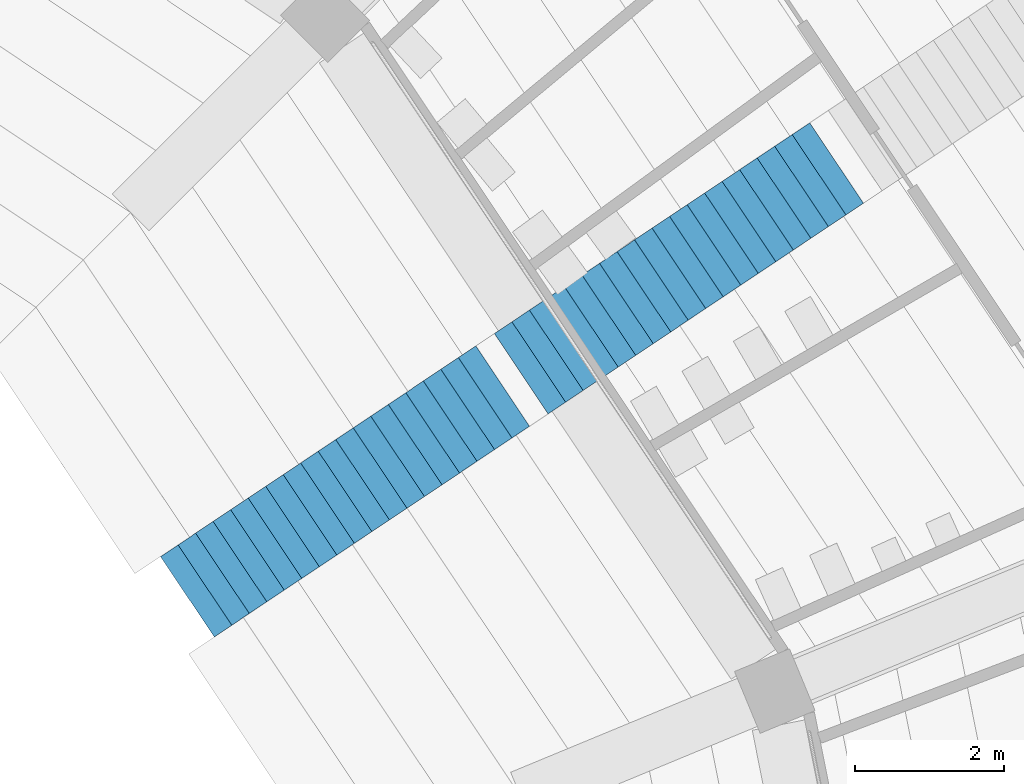
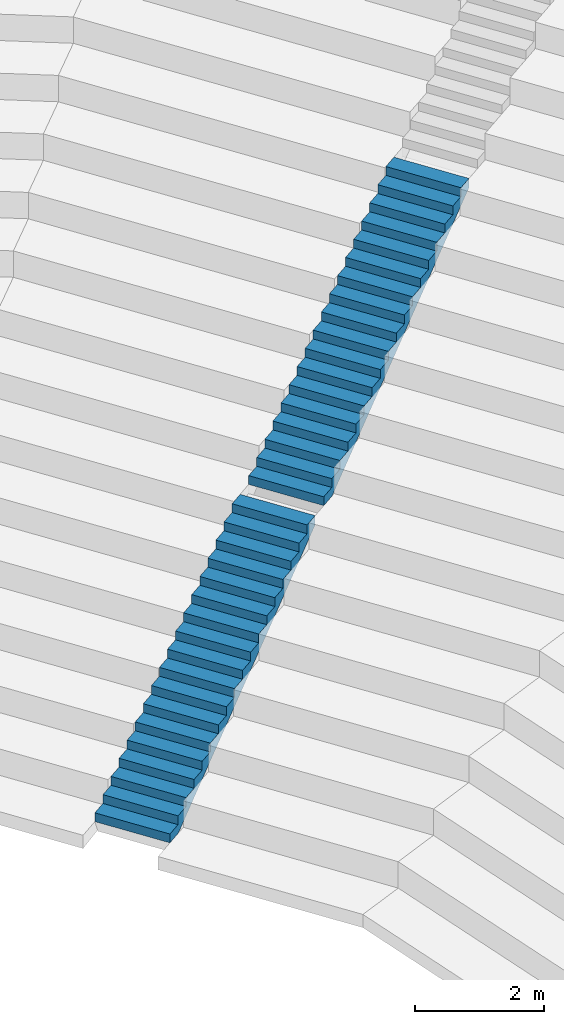
# One storey, part 224 of 249: 2 stair flights, 1 element without a shape of its own.
"""IFC4 building model written with IfcOpenShell, lengths in metres."""

from ifc_helpers import new_model, si_unit, direction, frame, origin, place, context, subcontext, project, spatial, faceted_brep, material, type_object, element, aggregate, save


model = new_model("IFC4")

# Units and contexts
model_context = context("Model", 3, precision=1e-05, world=origin(), true_north=direction((0.0, 1.0)))
body_context = subcontext(model_context, "Body", "Model", "MODEL_VIEW")
ifc_project = project(units=[si_unit("LENGTHUNIT", "METRE"), si_unit("AREAUNIT", "SQUARE_METRE"), si_unit("VOLUMEUNIT", "CUBIC_METRE"), si_unit("PLANEANGLEUNIT", "RADIAN"), si_unit("MASSUNIT", "GRAM", prefix="KILO")], contexts=[model_context])

# Site, building, storey
site_placement = place(None, origin())
site = spatial("IfcSite", under=ifc_project, at=site_placement, CompositionType="ELEMENT")
building_placement = place(site_placement, origin())
building = spatial("IfcBuilding", under=site, at=building_placement, Name="Ogive Plaza Stadium", CompositionType="ELEMENT")
storey_placement = place(building_placement, frame((0.0, 0.0, 13.5)))
storey = spatial("IfcBuildingStorey", under=building, at=storey_placement, Name="L03", CompositionType="ELEMENT", Elevation=13.5)

# Stair, stair flights
ifc_material_1 = material(Name="Concrete C40/50", Category="concrete")
stair_type = type_object("IfcStairType", Name="Aisle stair", PredefinedType="STRAIGHT_RUN_STAIR", material=ifc_material_1)
stair_placement = place(storey_placement, origin())
stair = element("IfcStair", 1, at=stair_placement, inside=storey, type_object=stair_type, Name="Aisle stair SA39U", PredefinedType="STRAIGHT_RUN_STAIR")
ifc_material_2 = material(Name="Concrete C40/50", Category="concrete")
stair_flight_type = type_object("IfcStairFlightType", Name="Aisle stair flight", PredefinedType="STRAIGHT", material=ifc_material_2)
stair_flight_1_placement = place(storey_placement, frame((51.876708984375, 64.44482421875, 0.5), z_axis=(0.0, 0.0, 1.0), x_axis=(0.831469612303, 0.55557023302, 0.0)))
stair_flight_1 = element("IfcStairFlight", 2, at=stair_flight_1_placement, type_object=stair_flight_type, Name="SA39U flight 1", NumberOfRisers=18, NumberOfTreads=17, PredefinedType="STRAIGHT", RiserHeight=0.166666667, TreadLength=0.283333333, context=body_context, shape_type="Brep", body=[
    faceted_brep([(0.295654296875, -0.64990234375, 0.0), (5.10009765625, -0.64990234375, 2.826171875), (5.10009765625, -0.64990234375, 3.0), (4.816650390625, -0.64990234375, 3.0), (4.816650390625, -0.64990234375, 2.833251953125), (4.533447265625, -0.64990234375, 2.833251953125), (4.533447265625, -0.64990234375, 2.666748046875), (4.25, -0.64990234375, 2.666748046875), (4.25, -0.64990234375, 2.5), (3.966552734375, -0.64990234375, 2.5), (3.966552734375, -0.64990234375, 2.333251953125), (3.683349609375, -0.64990234375, 2.333251953125), (3.683349609375, -0.64990234375, 2.166748046875), (3.39990234375, -0.64990234375, 2.166748046875), (3.39990234375, -0.64990234375, 2.0), (3.11669921875, -0.64990234375, 2.0), (3.11669921875, -0.64990234375, 1.833251953125), (2.833251953125, -0.64990234375, 1.833251953125), (2.833251953125, -0.64990234375, 1.666748046875), (2.550048828125, -0.64990234375, 1.666748046875), (2.550048828125, -0.64990234375, 1.5), (2.2666015625, -0.64990234375, 1.5), (2.2666015625, -0.64990234375, 1.333251953125), (1.9833984375, -0.64990234375, 1.333251953125), (1.9833984375, -0.64990234375, 1.166748046875), (1.699951171875, -0.64990234375, 1.166748046875), (1.699951171875, -0.64990234375, 1.0), (1.416748046875, -0.64990234375, 1.0), (1.416748046875, -0.64990234375, 0.833251953125), (1.13330078125, -0.64990234375, 0.833251953125), (1.13330078125, -0.64990234375, 0.666748046875), (0.85009765625, -0.64990234375, 0.666748046875), (0.85009765625, -0.64990234375, 0.5), (0.566650390625, -0.64990234375, 0.5), (0.566650390625, -0.64990234375, 0.333251953125), (0.283447265625, -0.64990234375, 0.333251953125), (0.283447265625, -0.64990234375, 0.166748046875), (0.0, -0.64990234375, 0.166748046875), (0.0, -0.64990234375, 0.0), (0.0, 0.64990234375, 0.0), (0.0, 0.64990234375, 0.166748046875), (0.283447265625, 0.64990234375, 0.166748046875), (0.283447265625, 0.64990234375, 0.333251953125), (0.566650390625, 0.64990234375, 0.333251953125), (0.566650390625, 0.64990234375, 0.5), (0.85009765625, 0.64990234375, 0.5), (0.85009765625, 0.64990234375, 0.666748046875), (1.13330078125, 0.64990234375, 0.666748046875), (1.13330078125, 0.64990234375, 0.833251953125), (1.416748046875, 0.64990234375, 0.833251953125), (1.416748046875, 0.64990234375, 1.0), (1.699951171875, 0.64990234375, 1.0), (1.699951171875, 0.64990234375, 1.166748046875), (1.9833984375, 0.64990234375, 1.166748046875), (1.9833984375, 0.64990234375, 1.333251953125), (2.2666015625, 0.64990234375, 1.333251953125), (2.2666015625, 0.64990234375, 1.5), (2.550048828125, 0.64990234375, 1.5), (2.550048828125, 0.64990234375, 1.666748046875), (2.833251953125, 0.64990234375, 1.666748046875), (2.833251953125, 0.64990234375, 1.833251953125), (3.11669921875, 0.64990234375, 1.833251953125), (3.11669921875, 0.64990234375, 2.0), (3.39990234375, 0.64990234375, 2.0), (3.39990234375, 0.64990234375, 2.166748046875), (3.683349609375, 0.64990234375, 2.166748046875), (3.683349609375, 0.64990234375, 2.333251953125), (3.966552734375, 0.64990234375, 2.333251953125), (3.966552734375, 0.64990234375, 2.5), (4.25, 0.64990234375, 2.5), (4.25, 0.64990234375, 2.666748046875), (4.533447265625, 0.64990234375, 2.666748046875), (4.533447265625, 0.64990234375, 2.833251953125), (4.816650390625, 0.64990234375, 2.833251953125), (4.816650390625, 0.64990234375, 3.0), (5.10009765625, 0.64990234375, 3.0), (5.10009765625, 0.64990234375, 2.826171875), (0.295654296875, 0.64990234375, 0.0), (0.295654296875, -0.324951171875, 0.0), (5.10009765625, -0.324951171875, 2.826171875), (0.295654296875, 0.0, 0.0), (5.10009765625, 0.0, 2.826171875), (0.295654296875, 0.324951171875, 0.0), (5.10009765625, 0.324951171875, 2.826171875), (5.10009765625, -0.324951171875, 3.0), (5.10009765625, 0.0, 3.0), (5.10009765625, 0.324951171875, 3.0), (4.816650390625, -0.324951171875, 3.0), (4.816650390625, 0.0, 3.0), (4.816650390625, 0.324951171875, 3.0), (4.816650390625, -0.324951171875, 2.833251953125), (4.816650390625, 0.0, 2.833251953125), (4.816650390625, 0.324951171875, 2.833251953125), (4.533447265625, -0.324951171875, 2.833251953125), (4.533447265625, 0.0, 2.833251953125), (4.533447265625, 0.324951171875, 2.833251953125), (4.533447265625, -0.324951171875, 2.666748046875), (4.533447265625, 0.0, 2.666748046875), (4.533447265625, 0.324951171875, 2.666748046875), (4.25, -0.324951171875, 2.666748046875), (4.25, 0.0, 2.666748046875), (4.25, 0.324951171875, 2.666748046875), (4.25, -0.324951171875, 2.5), (4.25, 0.0, 2.5), (4.25, 0.324951171875, 2.5), (3.966552734375, -0.324951171875, 2.5), (3.966552734375, 0.0, 2.5), (3.966552734375, 0.324951171875, 2.5), (3.966552734375, -0.324951171875, 2.333251953125), (3.966552734375, 0.0, 2.333251953125), (3.966552734375, 0.324951171875, 2.333251953125), (3.683349609375, -0.324951171875, 2.333251953125), (3.683349609375, 0.0, 2.333251953125), (3.683349609375, 0.324951171875, 2.333251953125), (3.683349609375, -0.324951171875, 2.166748046875), (3.683349609375, 0.0, 2.166748046875), (3.683349609375, 0.324951171875, 2.166748046875), (3.39990234375, -0.324951171875, 2.166748046875), (3.39990234375, 0.0, 2.166748046875), (3.39990234375, 0.324951171875, 2.166748046875), (3.39990234375, -0.324951171875, 2.0), (3.39990234375, 0.0, 2.0), (3.39990234375, 0.324951171875, 2.0), (3.11669921875, -0.324951171875, 2.0), (3.11669921875, 0.0, 2.0), (3.11669921875, 0.324951171875, 2.0), (3.11669921875, -0.324951171875, 1.833251953125), (3.11669921875, 0.0, 1.833251953125), (3.11669921875, 0.324951171875, 1.833251953125), (2.833251953125, -0.324951171875, 1.833251953125), (2.833251953125, 0.0, 1.833251953125), (2.833251953125, 0.324951171875, 1.833251953125), (2.833251953125, -0.324951171875, 1.666748046875), (2.833251953125, 0.0, 1.666748046875), (2.833251953125, 0.324951171875, 1.666748046875), (2.550048828125, -0.324951171875, 1.666748046875), (2.550048828125, 0.0, 1.666748046875), (2.550048828125, 0.324951171875, 1.666748046875), (2.550048828125, -0.324951171875, 1.5), (2.550048828125, 0.0, 1.5), (2.550048828125, 0.324951171875, 1.5), (2.2666015625, -0.324951171875, 1.5), (2.2666015625, 0.0, 1.5), (2.2666015625, 0.324951171875, 1.5), (2.2666015625, -0.324951171875, 1.333251953125), (2.2666015625, 0.0, 1.333251953125), (2.2666015625, 0.324951171875, 1.333251953125), (1.9833984375, -0.324951171875, 1.333251953125), (1.9833984375, 0.0, 1.333251953125), (1.9833984375, 0.324951171875, 1.333251953125), (1.9833984375, -0.324951171875, 1.166748046875), (1.9833984375, 0.0, 1.166748046875), (1.9833984375, 0.324951171875, 1.166748046875), (1.699951171875, -0.324951171875, 1.166748046875), (1.699951171875, 0.0, 1.166748046875), (1.699951171875, 0.324951171875, 1.166748046875), (1.699951171875, -0.324951171875, 1.0), (1.699951171875, 0.0, 1.0), (1.699951171875, 0.324951171875, 1.0), (1.416748046875, -0.324951171875, 1.0), (1.416748046875, 0.0, 1.0), (1.416748046875, 0.324951171875, 1.0), (1.416748046875, -0.324951171875, 0.833251953125), (1.416748046875, 0.0, 0.833251953125), (1.416748046875, 0.324951171875, 0.833251953125), (1.13330078125, -0.324951171875, 0.833251953125), (1.13330078125, 0.0, 0.833251953125), (1.13330078125, 0.324951171875, 0.833251953125), (1.13330078125, -0.324951171875, 0.666748046875), (1.13330078125, 0.0, 0.666748046875), (1.13330078125, 0.324951171875, 0.666748046875), (0.85009765625, -0.324951171875, 0.666748046875), (0.85009765625, 0.0, 0.666748046875), (0.85009765625, 0.324951171875, 0.666748046875), (0.85009765625, -0.324951171875, 0.5), (0.85009765625, 0.0, 0.5), (0.85009765625, 0.324951171875, 0.5), (0.566650390625, -0.324951171875, 0.5), (0.566650390625, 0.0, 0.5), (0.566650390625, 0.324951171875, 0.5), (0.566650390625, -0.324951171875, 0.333251953125), (0.566650390625, 0.0, 0.333251953125), (0.566650390625, 0.324951171875, 0.333251953125), (0.283447265625, -0.324951171875, 0.333251953125), (0.283447265625, 0.0, 0.333251953125), (0.283447265625, 0.324951171875, 0.333251953125), (0.283447265625, -0.324951171875, 0.166748046875), (0.283447265625, 0.0, 0.166748046875), (0.283447265625, 0.324951171875, 0.166748046875), (0.0, -0.324951171875, 0.166748046875), (0.0, 0.0, 0.166748046875), (0.0, 0.324951171875, 0.166748046875), (0.0, -0.324951171875, 0.0), (0.0, 0.0, 0.0), (0.0, 0.324951171875, 0.0)], [[[0, 1, 2, 3, 4, 5, 6, 7, 8, 9, 10, 11, 12, 13, 14, 15, 16, 17, 18, 19, 20, 21, 22, 23, 24, 25, 26, 27, 28, 29, 30, 31, 32, 33, 34, 35, 36, 37, 38]], [[39, 40, 41, 42, 43, 44, 45, 46, 47, 48, 49, 50, 51, 52, 53, 54, 55, 56, 57, 58, 59, 60, 61, 62, 63, 64, 65, 66, 67, 68, 69, 70, 71, 72, 73, 74, 75, 76, 77]], [[0, 78, 79, 1]], [[78, 80, 81, 79]], [[80, 82, 83, 81]], [[82, 77, 76, 83]], [[1, 79, 84, 2]], [[79, 81, 85, 84]], [[81, 83, 86, 85]], [[83, 76, 75, 86]], [[2, 84, 87, 3]], [[84, 85, 88, 87]], [[85, 86, 89, 88]], [[86, 75, 74, 89]], [[3, 87, 90, 4]], [[87, 88, 91, 90]], [[88, 89, 92, 91]], [[89, 74, 73, 92]], [[4, 90, 93, 5]], [[90, 91, 94, 93]], [[91, 92, 95, 94]], [[92, 73, 72, 95]], [[5, 93, 96, 6]], [[93, 94, 97, 96]], [[94, 95, 98, 97]], [[95, 72, 71, 98]], [[6, 96, 99, 7]], [[96, 97, 100, 99]], [[97, 98, 101, 100]], [[98, 71, 70, 101]], [[7, 99, 102, 8]], [[99, 100, 103, 102]], [[100, 101, 104, 103]], [[101, 70, 69, 104]], [[8, 102, 105, 9]], [[102, 103, 106, 105]], [[103, 104, 107, 106]], [[104, 69, 68, 107]], [[9, 105, 108, 10]], [[105, 106, 109, 108]], [[106, 107, 110, 109]], [[107, 68, 67, 110]], [[10, 108, 111, 11]], [[108, 109, 112, 111]], [[109, 110, 113, 112]], [[110, 67, 66, 113]], [[11, 111, 114, 12]], [[111, 112, 115, 114]], [[112, 113, 116, 115]], [[113, 66, 65, 116]], [[12, 114, 117, 13]], [[114, 115, 118, 117]], [[115, 116, 119, 118]], [[116, 65, 64, 119]], [[13, 117, 120, 14]], [[117, 118, 121, 120]], [[118, 119, 122, 121]], [[119, 64, 63, 122]], [[14, 120, 123, 15]], [[120, 121, 124, 123]], [[121, 122, 125, 124]], [[122, 63, 62, 125]], [[15, 123, 126, 16]], [[123, 124, 127, 126]], [[124, 125, 128, 127]], [[125, 62, 61, 128]], [[16, 126, 129, 17]], [[126, 127, 130, 129]], [[127, 128, 131, 130]], [[128, 61, 60, 131]], [[17, 129, 132, 18]], [[129, 130, 133, 132]], [[130, 131, 134, 133]], [[131, 60, 59, 134]], [[18, 132, 135, 19]], [[132, 133, 136, 135]], [[133, 134, 137, 136]], [[134, 59, 58, 137]], [[19, 135, 138, 20]], [[135, 136, 139, 138]], [[136, 137, 140, 139]], [[137, 58, 57, 140]], [[20, 138, 141, 21]], [[138, 139, 142, 141]], [[139, 140, 143, 142]], [[140, 57, 56, 143]], [[21, 141, 144, 22]], [[141, 142, 145, 144]], [[142, 143, 146, 145]], [[143, 56, 55, 146]], [[22, 144, 147, 23]], [[144, 145, 148, 147]], [[145, 146, 149, 148]], [[146, 55, 54, 149]], [[23, 147, 150, 24]], [[147, 148, 151, 150]], [[148, 149, 152, 151]], [[149, 54, 53, 152]], [[24, 150, 153, 25]], [[150, 151, 154, 153]], [[151, 152, 155, 154]], [[152, 53, 52, 155]], [[25, 153, 156, 26]], [[153, 154, 157, 156]], [[154, 155, 158, 157]], [[155, 52, 51, 158]], [[26, 156, 159, 27]], [[156, 157, 160, 159]], [[157, 158, 161, 160]], [[158, 51, 50, 161]], [[27, 159, 162, 28]], [[159, 160, 163, 162]], [[160, 161, 164, 163]], [[161, 50, 49, 164]], [[28, 162, 165, 29]], [[162, 163, 166, 165]], [[163, 164, 167, 166]], [[164, 49, 48, 167]], [[29, 165, 168, 30]], [[165, 166, 169, 168]], [[166, 167, 170, 169]], [[167, 48, 47, 170]], [[30, 168, 171, 31]], [[168, 169, 172, 171]], [[169, 170, 173, 172]], [[170, 47, 46, 173]], [[31, 171, 174, 32]], [[171, 172, 175, 174]], [[172, 173, 176, 175]], [[173, 46, 45, 176]], [[32, 174, 177, 33]], [[174, 175, 178, 177]], [[175, 176, 179, 178]], [[176, 45, 44, 179]], [[33, 177, 180, 34]], [[177, 178, 181, 180]], [[178, 179, 182, 181]], [[179, 44, 43, 182]], [[34, 180, 183, 35]], [[180, 181, 184, 183]], [[181, 182, 185, 184]], [[182, 43, 42, 185]], [[35, 183, 186, 36]], [[183, 184, 187, 186]], [[184, 185, 188, 187]], [[185, 42, 41, 188]], [[36, 186, 189, 37]], [[186, 187, 190, 189]], [[187, 188, 191, 190]], [[188, 41, 40, 191]], [[37, 189, 192, 38]], [[189, 190, 193, 192]], [[190, 191, 194, 193]], [[191, 40, 39, 194]], [[38, 192, 78, 0]], [[192, 193, 80, 78]], [[193, 194, 82, 80]], [[194, 39, 77, 82]]]),
])
stair_flight_2_placement = place(storey_placement, frame((56.366455078125, 67.44482421875, 3.5), z_axis=(0.0, 0.0, 1.0), x_axis=(0.831469612303, 0.55557023302, 0.0)))
stair_flight_2 = element("IfcStairFlight", 3, at=stair_flight_2_placement, type_object=stair_flight_type, Name="SA39U flight 2", NumberOfRisers=18, NumberOfTreads=17, PredefinedType="STRAIGHT", RiserHeight=0.166666667, TreadLength=0.283333333, context=body_context, shape_type="Brep", body=[
    faceted_brep([(0.295654296875, -0.64990234375, 0.0), (5.10009765625, -0.64990234375, 2.826171875), (5.10009765625, -0.64990234375, 3.0), (4.816650390625, -0.64990234375, 3.0), (4.816650390625, -0.64990234375, 2.833251953125), (4.533447265625, -0.64990234375, 2.833251953125), (4.533447265625, -0.64990234375, 2.666748046875), (4.25, -0.64990234375, 2.666748046875), (4.25, -0.64990234375, 2.5), (3.966552734375, -0.64990234375, 2.5), (3.966552734375, -0.64990234375, 2.333251953125), (3.683349609375, -0.64990234375, 2.333251953125), (3.683349609375, -0.64990234375, 2.166748046875), (3.39990234375, -0.64990234375, 2.166748046875), (3.39990234375, -0.64990234375, 2.0), (3.11669921875, -0.64990234375, 2.0), (3.11669921875, -0.64990234375, 1.833251953125), (2.833251953125, -0.64990234375, 1.833251953125), (2.833251953125, -0.64990234375, 1.666748046875), (2.550048828125, -0.64990234375, 1.666748046875), (2.550048828125, -0.64990234375, 1.5), (2.2666015625, -0.64990234375, 1.5), (2.2666015625, -0.64990234375, 1.333251953125), (1.9833984375, -0.64990234375, 1.333251953125), (1.9833984375, -0.64990234375, 1.166748046875), (1.699951171875, -0.64990234375, 1.166748046875), (1.699951171875, -0.64990234375, 1.0), (1.416748046875, -0.64990234375, 1.0), (1.416748046875, -0.64990234375, 0.833251953125), (1.13330078125, -0.64990234375, 0.833251953125), (1.13330078125, -0.64990234375, 0.666748046875), (0.85009765625, -0.64990234375, 0.666748046875), (0.85009765625, -0.64990234375, 0.5), (0.566650390625, -0.64990234375, 0.5), (0.566650390625, -0.64990234375, 0.333251953125), (0.283447265625, -0.64990234375, 0.333251953125), (0.283447265625, -0.64990234375, 0.166748046875), (0.0, -0.64990234375, 0.166748046875), (0.0, -0.64990234375, 0.0), (0.0, 0.64990234375, 0.0), (0.0, 0.64990234375, 0.166748046875), (0.283447265625, 0.64990234375, 0.166748046875), (0.283447265625, 0.64990234375, 0.333251953125), (0.566650390625, 0.64990234375, 0.333251953125), (0.566650390625, 0.64990234375, 0.5), (0.85009765625, 0.64990234375, 0.5), (0.85009765625, 0.64990234375, 0.666748046875), (1.13330078125, 0.64990234375, 0.666748046875), (1.13330078125, 0.64990234375, 0.833251953125), (1.416748046875, 0.64990234375, 0.833251953125), (1.416748046875, 0.64990234375, 1.0), (1.699951171875, 0.64990234375, 1.0), (1.699951171875, 0.64990234375, 1.166748046875), (1.9833984375, 0.64990234375, 1.166748046875), (1.9833984375, 0.64990234375, 1.333251953125), (2.2666015625, 0.64990234375, 1.333251953125), (2.2666015625, 0.64990234375, 1.5), (2.550048828125, 0.64990234375, 1.5), (2.550048828125, 0.64990234375, 1.666748046875), (2.833251953125, 0.64990234375, 1.666748046875), (2.833251953125, 0.64990234375, 1.833251953125), (3.11669921875, 0.64990234375, 1.833251953125), (3.11669921875, 0.64990234375, 2.0), (3.39990234375, 0.64990234375, 2.0), (3.39990234375, 0.64990234375, 2.166748046875), (3.683349609375, 0.64990234375, 2.166748046875), (3.683349609375, 0.64990234375, 2.333251953125), (3.966552734375, 0.64990234375, 2.333251953125), (3.966552734375, 0.64990234375, 2.5), (4.25, 0.64990234375, 2.5), (4.25, 0.64990234375, 2.666748046875), (4.533447265625, 0.64990234375, 2.666748046875), (4.533447265625, 0.64990234375, 2.833251953125), (4.816650390625, 0.64990234375, 2.833251953125), (4.816650390625, 0.64990234375, 3.0), (5.10009765625, 0.64990234375, 3.0), (5.10009765625, 0.64990234375, 2.826171875), (0.295654296875, 0.64990234375, 0.0), (0.295654296875, -0.324951171875, 0.0), (5.10009765625, -0.324951171875, 2.826171875), (0.295654296875, 0.0, 0.0), (5.10009765625, 0.0, 2.826171875), (0.295654296875, 0.324951171875, 0.0), (5.10009765625, 0.324951171875, 2.826171875), (5.10009765625, -0.324951171875, 3.0), (5.10009765625, 0.0, 3.0), (5.10009765625, 0.324951171875, 3.0), (4.816650390625, -0.324951171875, 3.0), (4.816650390625, 0.0, 3.0), (4.816650390625, 0.324951171875, 3.0), (4.816650390625, -0.324951171875, 2.833251953125), (4.816650390625, 0.0, 2.833251953125), (4.816650390625, 0.324951171875, 2.833251953125), (4.533447265625, -0.324951171875, 2.833251953125), (4.533447265625, 0.0, 2.833251953125), (4.533447265625, 0.324951171875, 2.833251953125), (4.533447265625, -0.324951171875, 2.666748046875), (4.533447265625, 0.0, 2.666748046875), (4.533447265625, 0.324951171875, 2.666748046875), (4.25, -0.324951171875, 2.666748046875), (4.25, 0.0, 2.666748046875), (4.25, 0.324951171875, 2.666748046875), (4.25, -0.324951171875, 2.5), (4.25, 0.0, 2.5), (4.25, 0.324951171875, 2.5), (3.966552734375, -0.324951171875, 2.5), (3.966552734375, 0.0, 2.5), (3.966552734375, 0.324951171875, 2.5), (3.966552734375, -0.324951171875, 2.333251953125), (3.966552734375, 0.0, 2.333251953125), (3.966552734375, 0.324951171875, 2.333251953125), (3.683349609375, -0.324951171875, 2.333251953125), (3.683349609375, 0.0, 2.333251953125), (3.683349609375, 0.324951171875, 2.333251953125), (3.683349609375, -0.324951171875, 2.166748046875), (3.683349609375, 0.0, 2.166748046875), (3.683349609375, 0.324951171875, 2.166748046875), (3.39990234375, -0.324951171875, 2.166748046875), (3.39990234375, 0.0, 2.166748046875), (3.39990234375, 0.324951171875, 2.166748046875), (3.39990234375, -0.324951171875, 2.0), (3.39990234375, 0.0, 2.0), (3.39990234375, 0.324951171875, 2.0), (3.11669921875, -0.324951171875, 2.0), (3.11669921875, 0.0, 2.0), (3.11669921875, 0.324951171875, 2.0), (3.11669921875, -0.324951171875, 1.833251953125), (3.11669921875, 0.0, 1.833251953125), (3.11669921875, 0.324951171875, 1.833251953125), (2.833251953125, -0.324951171875, 1.833251953125), (2.833251953125, 0.0, 1.833251953125), (2.833251953125, 0.324951171875, 1.833251953125), (2.833251953125, -0.324951171875, 1.666748046875), (2.833251953125, 0.0, 1.666748046875), (2.833251953125, 0.324951171875, 1.666748046875), (2.550048828125, -0.324951171875, 1.666748046875), (2.550048828125, 0.0, 1.666748046875), (2.550048828125, 0.324951171875, 1.666748046875), (2.550048828125, -0.324951171875, 1.5), (2.550048828125, 0.0, 1.5), (2.550048828125, 0.324951171875, 1.5), (2.2666015625, -0.324951171875, 1.5), (2.2666015625, 0.0, 1.5), (2.2666015625, 0.324951171875, 1.5), (2.2666015625, -0.324951171875, 1.333251953125), (2.2666015625, 0.0, 1.333251953125), (2.2666015625, 0.324951171875, 1.333251953125), (1.9833984375, -0.324951171875, 1.333251953125), (1.9833984375, 0.0, 1.333251953125), (1.9833984375, 0.324951171875, 1.333251953125), (1.9833984375, -0.324951171875, 1.166748046875), (1.9833984375, 0.0, 1.166748046875), (1.9833984375, 0.324951171875, 1.166748046875), (1.699951171875, -0.324951171875, 1.166748046875), (1.699951171875, 0.0, 1.166748046875), (1.699951171875, 0.324951171875, 1.166748046875), (1.699951171875, -0.324951171875, 1.0), (1.699951171875, 0.0, 1.0), (1.699951171875, 0.324951171875, 1.0), (1.416748046875, -0.324951171875, 1.0), (1.416748046875, 0.0, 1.0), (1.416748046875, 0.324951171875, 1.0), (1.416748046875, -0.324951171875, 0.833251953125), (1.416748046875, 0.0, 0.833251953125), (1.416748046875, 0.324951171875, 0.833251953125), (1.13330078125, -0.324951171875, 0.833251953125), (1.13330078125, 0.0, 0.833251953125), (1.13330078125, 0.324951171875, 0.833251953125), (1.13330078125, -0.324951171875, 0.666748046875), (1.13330078125, 0.0, 0.666748046875), (1.13330078125, 0.324951171875, 0.666748046875), (0.85009765625, -0.324951171875, 0.666748046875), (0.85009765625, 0.0, 0.666748046875), (0.85009765625, 0.324951171875, 0.666748046875), (0.85009765625, -0.324951171875, 0.5), (0.85009765625, 0.0, 0.5), (0.85009765625, 0.324951171875, 0.5), (0.566650390625, -0.324951171875, 0.5), (0.566650390625, 0.0, 0.5), (0.566650390625, 0.324951171875, 0.5), (0.566650390625, -0.324951171875, 0.333251953125), (0.566650390625, 0.0, 0.333251953125), (0.566650390625, 0.324951171875, 0.333251953125), (0.283447265625, -0.324951171875, 0.333251953125), (0.283447265625, 0.0, 0.333251953125), (0.283447265625, 0.324951171875, 0.333251953125), (0.283447265625, -0.324951171875, 0.166748046875), (0.283447265625, 0.0, 0.166748046875), (0.283447265625, 0.324951171875, 0.166748046875), (0.0, -0.324951171875, 0.166748046875), (0.0, 0.0, 0.166748046875), (0.0, 0.324951171875, 0.166748046875), (0.0, -0.324951171875, 0.0), (0.0, 0.0, 0.0), (0.0, 0.324951171875, 0.0)], [[[0, 1, 2, 3, 4, 5, 6, 7, 8, 9, 10, 11, 12, 13, 14, 15, 16, 17, 18, 19, 20, 21, 22, 23, 24, 25, 26, 27, 28, 29, 30, 31, 32, 33, 34, 35, 36, 37, 38]], [[39, 40, 41, 42, 43, 44, 45, 46, 47, 48, 49, 50, 51, 52, 53, 54, 55, 56, 57, 58, 59, 60, 61, 62, 63, 64, 65, 66, 67, 68, 69, 70, 71, 72, 73, 74, 75, 76, 77]], [[0, 78, 79, 1]], [[78, 80, 81, 79]], [[80, 82, 83, 81]], [[82, 77, 76, 83]], [[1, 79, 84, 2]], [[79, 81, 85, 84]], [[81, 83, 86, 85]], [[83, 76, 75, 86]], [[2, 84, 87, 3]], [[84, 85, 88, 87]], [[85, 86, 89, 88]], [[86, 75, 74, 89]], [[3, 87, 90, 4]], [[87, 88, 91, 90]], [[88, 89, 92, 91]], [[89, 74, 73, 92]], [[4, 90, 93, 5]], [[90, 91, 94, 93]], [[91, 92, 95, 94]], [[92, 73, 72, 95]], [[5, 93, 96, 6]], [[93, 94, 97, 96]], [[94, 95, 98, 97]], [[95, 72, 71, 98]], [[6, 96, 99, 7]], [[96, 97, 100, 99]], [[97, 98, 101, 100]], [[98, 71, 70, 101]], [[7, 99, 102, 8]], [[99, 100, 103, 102]], [[100, 101, 104, 103]], [[101, 70, 69, 104]], [[8, 102, 105, 9]], [[102, 103, 106, 105]], [[103, 104, 107, 106]], [[104, 69, 68, 107]], [[9, 105, 108, 10]], [[105, 106, 109, 108]], [[106, 107, 110, 109]], [[107, 68, 67, 110]], [[10, 108, 111, 11]], [[108, 109, 112, 111]], [[109, 110, 113, 112]], [[110, 67, 66, 113]], [[11, 111, 114, 12]], [[111, 112, 115, 114]], [[112, 113, 116, 115]], [[113, 66, 65, 116]], [[12, 114, 117, 13]], [[114, 115, 118, 117]], [[115, 116, 119, 118]], [[116, 65, 64, 119]], [[13, 117, 120, 14]], [[117, 118, 121, 120]], [[118, 119, 122, 121]], [[119, 64, 63, 122]], [[14, 120, 123, 15]], [[120, 121, 124, 123]], [[121, 122, 125, 124]], [[122, 63, 62, 125]], [[15, 123, 126, 16]], [[123, 124, 127, 126]], [[124, 125, 128, 127]], [[125, 62, 61, 128]], [[16, 126, 129, 17]], [[126, 127, 130, 129]], [[127, 128, 131, 130]], [[128, 61, 60, 131]], [[17, 129, 132, 18]], [[129, 130, 133, 132]], [[130, 131, 134, 133]], [[131, 60, 59, 134]], [[18, 132, 135, 19]], [[132, 133, 136, 135]], [[133, 134, 137, 136]], [[134, 59, 58, 137]], [[19, 135, 138, 20]], [[135, 136, 139, 138]], [[136, 137, 140, 139]], [[137, 58, 57, 140]], [[20, 138, 141, 21]], [[138, 139, 142, 141]], [[139, 140, 143, 142]], [[140, 57, 56, 143]], [[21, 141, 144, 22]], [[141, 142, 145, 144]], [[142, 143, 146, 145]], [[143, 56, 55, 146]], [[22, 144, 147, 23]], [[144, 145, 148, 147]], [[145, 146, 149, 148]], [[146, 55, 54, 149]], [[23, 147, 150, 24]], [[147, 148, 151, 150]], [[148, 149, 152, 151]], [[149, 54, 53, 152]], [[24, 150, 153, 25]], [[150, 151, 154, 153]], [[151, 152, 155, 154]], [[152, 53, 52, 155]], [[25, 153, 156, 26]], [[153, 154, 157, 156]], [[154, 155, 158, 157]], [[155, 52, 51, 158]], [[26, 156, 159, 27]], [[156, 157, 160, 159]], [[157, 158, 161, 160]], [[158, 51, 50, 161]], [[27, 159, 162, 28]], [[159, 160, 163, 162]], [[160, 161, 164, 163]], [[161, 50, 49, 164]], [[28, 162, 165, 29]], [[162, 163, 166, 165]], [[163, 164, 167, 166]], [[164, 49, 48, 167]], [[29, 165, 168, 30]], [[165, 166, 169, 168]], [[166, 167, 170, 169]], [[167, 48, 47, 170]], [[30, 168, 171, 31]], [[168, 169, 172, 171]], [[169, 170, 173, 172]], [[170, 47, 46, 173]], [[31, 171, 174, 32]], [[171, 172, 175, 174]], [[172, 173, 176, 175]], [[173, 46, 45, 176]], [[32, 174, 177, 33]], [[174, 175, 178, 177]], [[175, 176, 179, 178]], [[176, 45, 44, 179]], [[33, 177, 180, 34]], [[177, 178, 181, 180]], [[178, 179, 182, 181]], [[179, 44, 43, 182]], [[34, 180, 183, 35]], [[180, 181, 184, 183]], [[181, 182, 185, 184]], [[182, 43, 42, 185]], [[35, 183, 186, 36]], [[183, 184, 187, 186]], [[184, 185, 188, 187]], [[185, 42, 41, 188]], [[36, 186, 189, 37]], [[186, 187, 190, 189]], [[187, 188, 191, 190]], [[188, 41, 40, 191]], [[37, 189, 192, 38]], [[189, 190, 193, 192]], [[190, 191, 194, 193]], [[191, 40, 39, 194]], [[38, 192, 78, 0]], [[192, 193, 80, 78]], [[193, 194, 82, 80]], [[194, 39, 77, 82]]]),
])
aggregate(stair, [stair_flight_1, stair_flight_2])

save(model, "model.ifc")
